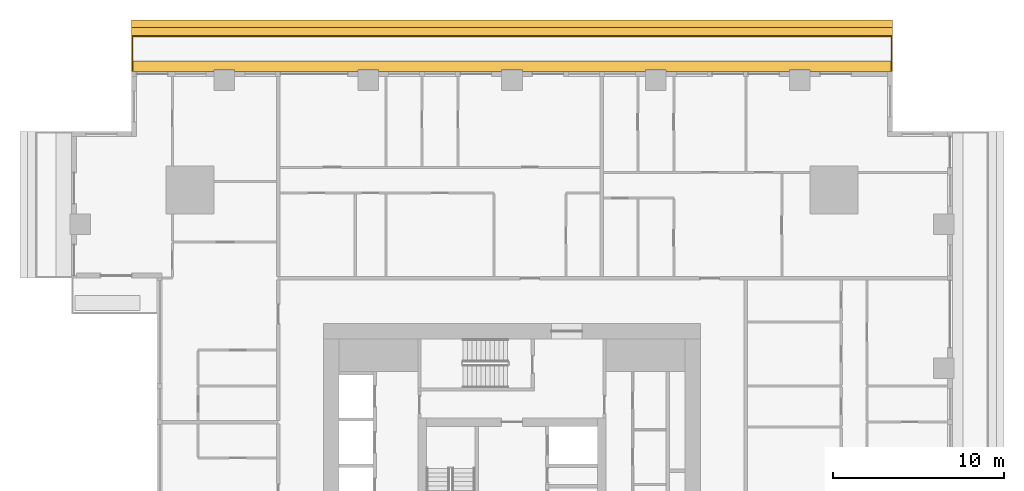
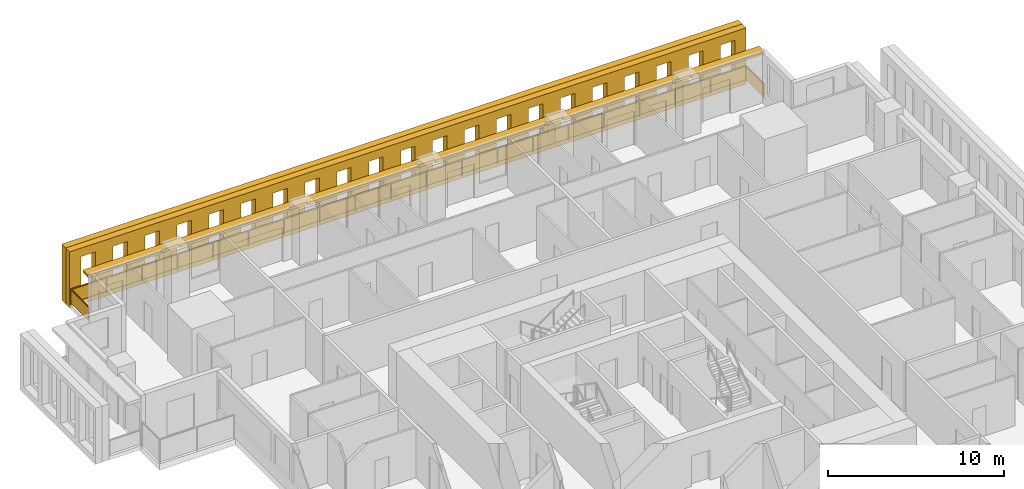
# One storey, part 15 of 15: 3 shading devices, 1 railing.
"""IFC4 building model written with IfcOpenShell, lengths in metres."""

from ifc_helpers import new_model, si_unit, direction, frame, origin, origin_2d, place, context, subcontext, project, spatial, polyline, rectangle, outline, extrude, material, layer, layer_set, type_object, element, save


model = new_model("IFC4")

# Units and contexts
model_context = context("Model", 3, precision=1e-05, world=origin(), true_north=direction((0.0, 1.0)))
body_context = subcontext(model_context, "Body", "Model", "MODEL_VIEW")
ifc_project = project(units=[si_unit("LENGTHUNIT", "METRE"), si_unit("AREAUNIT", "SQUARE_METRE"), si_unit("VOLUMEUNIT", "CUBIC_METRE"), si_unit("PLANEANGLEUNIT", "RADIAN"), si_unit("MASSUNIT", "GRAM", prefix="KILO")], contexts=[model_context])

# Site, building, storey
site_placement = place(None, origin())
site = spatial("IfcSite", under=ifc_project, at=site_placement, CompositionType="ELEMENT")
building_placement = place(site_placement, origin())
building = spatial("IfcBuilding", under=site, at=building_placement, Name="Khepri Terraces", CompositionType="ELEMENT")
storey_placement = place(building_placement, frame((0.0, 0.0, 118.199951171875)))
storey = spatial("IfcBuildingStorey", under=building, at=storey_placement, Name="L28", CompositionType="ELEMENT", Elevation=118.199951171875)

# Railing
ifc_material_1 = material(Name="Stainless steel grade 316", Category="steel")
railing_type = type_object("IfcRailingType", Name="GRD-BAL-1100", PredefinedType="GUARDRAIL", material=ifc_material_1)
railing_placement = place(storey_placement, frame((22.169921875, 25.719970703125, 0.0)))
element("IfcRailing", 1, at=railing_placement, inside=storey, type_object=railing_type, Name="Balcony guard L28 N", PredefinedType="GUARDRAIL", context=body_context, shape_type="SweptSolid", body=[
    extrude(rectangle(XDim=0.050048828125, YDim=0.06005859375, at=origin_2d()), frame((0.0, 0.0, 1.070068359375), z_axis=(0.0, 1.0, 0.0), x_axis=(-1.0, 0.0, 0.0)), (0.0, 0.0, 1.0), 2.050048828125),
    extrude(rectangle(XDim=2.0, YDim=0.011962890625, at=origin_2d()), frame((0.0, 1.02490234375, 0.10009765625), z_axis=(0.0, 0.0, 1.0), x_axis=(0.0, 1.0, 0.0)), (0.0, 0.0, 1.0), 0.93994140625),
    extrude(rectangle(XDim=0.050048828125, YDim=0.06005859375, at=origin_2d()), frame((0.0, 2.050048828125, 1.070068359375), z_axis=(-1.0, 0.0, 0.0), x_axis=(0.0, -1.0, 0.0)), (0.0, 0.0, 1.0), 44.33984375),
    extrude(rectangle(XDim=2.28369140625, YDim=0.011962890625, at=origin_2d()), frame((-1.166748046875, 2.050048828125, 0.10009765625), z_axis=(0.0, 0.0, 1.0), x_axis=(-1.0, 0.0, 0.0)), (0.0, 0.0, 1.0), 0.93994140625),
    extrude(rectangle(XDim=2.28369140625, YDim=0.011962890625, at=origin_2d()), frame((-3.50048828125, 2.050048828125, 0.10009765625), z_axis=(0.0, 0.0, 1.0), x_axis=(-1.0, 0.0, 0.0)), (0.0, 0.0, 1.0), 0.93994140625),
    extrude(rectangle(XDim=2.28369140625, YDim=0.011962890625, at=origin_2d()), frame((-5.834228515625, 2.050048828125, 0.10009765625), z_axis=(0.0, 0.0, 1.0), x_axis=(-1.0, 0.0, 0.0)), (0.0, 0.0, 1.0), 0.93994140625),
    extrude(rectangle(XDim=2.28369140625, YDim=0.011962890625, at=origin_2d()), frame((-8.16796875, 2.050048828125, 0.10009765625), z_axis=(0.0, 0.0, 1.0), x_axis=(-1.0, 0.0, 0.0)), (0.0, 0.0, 1.0), 0.93994140625),
    extrude(rectangle(XDim=2.28369140625, YDim=0.011962890625, at=origin_2d()), frame((-10.50146484375, 2.050048828125, 0.10009765625), z_axis=(0.0, 0.0, 1.0), x_axis=(-1.0, 0.0, 0.0)), (0.0, 0.0, 1.0), 0.93994140625),
    extrude(rectangle(XDim=2.28369140625, YDim=0.011962890625, at=origin_2d()), frame((-12.835205078125, 2.050048828125, 0.10009765625), z_axis=(0.0, 0.0, 1.0), x_axis=(-1.0, 0.0, 0.0)), (0.0, 0.0, 1.0), 0.93994140625),
    extrude(rectangle(XDim=2.28369140625, YDim=0.011962890625, at=origin_2d()), frame((-15.1689453125, 2.050048828125, 0.10009765625), z_axis=(0.0, 0.0, 1.0), x_axis=(-1.0, 0.0, 0.0)), (0.0, 0.0, 1.0), 0.93994140625),
    extrude(rectangle(XDim=2.28369140625, YDim=0.011962890625, at=origin_2d()), frame((-17.502685546875, 2.050048828125, 0.10009765625), z_axis=(0.0, 0.0, 1.0), x_axis=(-1.0, 0.0, 0.0)), (0.0, 0.0, 1.0), 0.93994140625),
    extrude(rectangle(XDim=2.28369140625, YDim=0.011962890625, at=origin_2d()), frame((-19.836181640625, 2.050048828125, 0.10009765625), z_axis=(0.0, 0.0, 1.0), x_axis=(-1.0, 0.0, 0.0)), (0.0, 0.0, 1.0), 0.93994140625),
    extrude(rectangle(XDim=2.28369140625, YDim=0.011962890625, at=origin_2d()), frame((-22.169921875, 2.050048828125, 0.10009765625), z_axis=(0.0, 0.0, 1.0), x_axis=(-1.0, 0.0, 0.0)), (0.0, 0.0, 1.0), 0.93994140625),
    extrude(rectangle(XDim=2.28369140625, YDim=0.011962890625, at=origin_2d()), frame((-24.503662109375, 2.050048828125, 0.10009765625), z_axis=(0.0, 0.0, 1.0), x_axis=(-1.0, 0.0, 0.0)), (0.0, 0.0, 1.0), 0.93994140625),
    extrude(rectangle(XDim=2.28369140625, YDim=0.011962890625, at=origin_2d()), frame((-26.837158203125, 2.050048828125, 0.10009765625), z_axis=(0.0, 0.0, 1.0), x_axis=(-1.0, 0.0, 0.0)), (0.0, 0.0, 1.0), 0.93994140625),
    extrude(rectangle(XDim=2.28369140625, YDim=0.011962890625, at=origin_2d()), frame((-29.1708984375, 2.050048828125, 0.10009765625), z_axis=(0.0, 0.0, 1.0), x_axis=(-1.0, 0.0, 0.0)), (0.0, 0.0, 1.0), 0.93994140625),
    extrude(rectangle(XDim=2.28369140625, YDim=0.011962890625, at=origin_2d()), frame((-31.504638671875, 2.050048828125, 0.10009765625), z_axis=(0.0, 0.0, 1.0), x_axis=(-1.0, 0.0, 0.0)), (0.0, 0.0, 1.0), 0.93994140625),
    extrude(rectangle(XDim=2.28369140625, YDim=0.011962890625, at=origin_2d()), frame((-33.83837890625, 2.050048828125, 0.10009765625), z_axis=(0.0, 0.0, 1.0), x_axis=(-1.0, 0.0, 0.0)), (0.0, 0.0, 1.0), 0.93994140625),
    extrude(rectangle(XDim=2.28369140625, YDim=0.011962890625, at=origin_2d()), frame((-36.171875, 2.050048828125, 0.10009765625), z_axis=(0.0, 0.0, 1.0), x_axis=(-1.0, 0.0, 0.0)), (0.0, 0.0, 1.0), 0.93994140625),
    extrude(rectangle(XDim=2.28369140625, YDim=0.011962890625, at=origin_2d()), frame((-38.505615234375, 2.050048828125, 0.10009765625), z_axis=(0.0, 0.0, 1.0), x_axis=(-1.0, 0.0, 0.0)), (0.0, 0.0, 1.0), 0.93994140625),
    extrude(rectangle(XDim=2.28369140625, YDim=0.011962890625, at=origin_2d()), frame((-40.83935546875, 2.050048828125, 0.10009765625), z_axis=(0.0, 0.0, 1.0), x_axis=(-1.0, 0.0, 0.0)), (0.0, 0.0, 1.0), 0.93994140625),
    extrude(rectangle(XDim=2.28369140625, YDim=0.011962890625, at=origin_2d()), frame((-43.173095703125, 2.050048828125, 0.10009765625), z_axis=(0.0, 0.0, 1.0), x_axis=(-1.0, 0.0, 0.0)), (0.0, 0.0, 1.0), 0.93994140625),
    extrude(rectangle(XDim=0.050048828125, YDim=0.06005859375, at=origin_2d()), frame((-44.33984375, 2.050048828125, 1.070068359375), z_axis=(0.0, -1.0, 0.0), x_axis=(1.0, 0.0, 0.0)), (0.0, 0.0, 1.0), 2.050048828125),
    extrude(rectangle(XDim=2.0, YDim=0.011962890625, at=origin_2d()), frame((-44.33984375, 1.02490234375, 0.10009765625), z_axis=(0.0, 0.0, 1.0), x_axis=(0.0, -1.0, 0.0)), (0.0, 0.0, 1.0), 0.93994140625),
    extrude(rectangle(XDim=0.050048828125, YDim=0.050048828125, at=origin_2d()), origin(), (0.0, 0.0, 1.0), 1.0400390625),
    extrude(rectangle(XDim=0.050048828125, YDim=0.050048828125, at=origin_2d()), frame((0.0, 2.050048828125, 0.0)), (0.0, 0.0, 1.0), 1.0400390625),
    extrude(rectangle(XDim=0.050048828125, YDim=0.050048828125, at=origin_2d()), frame((-2.333740234375, 2.050048828125, 0.0)), (0.0, 0.0, 1.0), 1.0400390625),
    extrude(rectangle(XDim=0.050048828125, YDim=0.050048828125, at=origin_2d()), frame((-4.667236328125, 2.050048828125, 0.0)), (0.0, 0.0, 1.0), 1.0400390625),
    extrude(rectangle(XDim=0.050048828125, YDim=0.050048828125, at=origin_2d()), frame((-7.0009765625, 2.050048828125, 0.0)), (0.0, 0.0, 1.0), 1.0400390625),
    extrude(rectangle(XDim=0.050048828125, YDim=0.050048828125, at=origin_2d()), frame((-9.334716796875, 2.050048828125, 0.0)), (0.0, 0.0, 1.0), 1.0400390625),
    extrude(rectangle(XDim=0.050048828125, YDim=0.050048828125, at=origin_2d()), frame((-11.66845703125, 2.050048828125, 0.0)), (0.0, 0.0, 1.0), 1.0400390625),
    extrude(rectangle(XDim=0.050048828125, YDim=0.050048828125, at=origin_2d()), frame((-14.001953125, 2.050048828125, 0.0)), (0.0, 0.0, 1.0), 1.0400390625),
    extrude(rectangle(XDim=0.050048828125, YDim=0.050048828125, at=origin_2d()), frame((-16.335693359375, 2.050048828125, 0.0)), (0.0, 0.0, 1.0), 1.0400390625),
    extrude(rectangle(XDim=0.050048828125, YDim=0.050048828125, at=origin_2d()), frame((-18.66943359375, 2.050048828125, 0.0)), (0.0, 0.0, 1.0), 1.0400390625),
    extrude(rectangle(XDim=0.050048828125, YDim=0.050048828125, at=origin_2d()), frame((-21.003173828125, 2.050048828125, 0.0)), (0.0, 0.0, 1.0), 1.0400390625),
    extrude(rectangle(XDim=0.050048828125, YDim=0.050048828125, at=origin_2d()), frame((-23.336669921875, 2.050048828125, 0.0)), (0.0, 0.0, 1.0), 1.0400390625),
    extrude(rectangle(XDim=0.050048828125, YDim=0.050048828125, at=origin_2d()), frame((-25.67041015625, 2.050048828125, 0.0)), (0.0, 0.0, 1.0), 1.0400390625),
    extrude(rectangle(XDim=0.050048828125, YDim=0.050048828125, at=origin_2d()), frame((-28.004150390625, 2.050048828125, 0.0)), (0.0, 0.0, 1.0), 1.0400390625),
    extrude(rectangle(XDim=0.050048828125, YDim=0.050048828125, at=origin_2d()), frame((-30.337890625, 2.050048828125, 0.0)), (0.0, 0.0, 1.0), 1.0400390625),
    extrude(rectangle(XDim=0.050048828125, YDim=0.050048828125, at=origin_2d()), frame((-32.67138671875, 2.050048828125, 0.0)), (0.0, 0.0, 1.0), 1.0400390625),
    extrude(rectangle(XDim=0.050048828125, YDim=0.050048828125, at=origin_2d()), frame((-35.005126953125, 2.050048828125, 0.0)), (0.0, 0.0, 1.0), 1.0400390625),
    extrude(rectangle(XDim=0.050048828125, YDim=0.050048828125, at=origin_2d()), frame((-37.3388671875, 2.050048828125, 0.0)), (0.0, 0.0, 1.0), 1.0400390625),
    extrude(rectangle(XDim=0.050048828125, YDim=0.050048828125, at=origin_2d()), frame((-39.672607421875, 2.050048828125, 0.0)), (0.0, 0.0, 1.0), 1.0400390625),
    extrude(rectangle(XDim=0.050048828125, YDim=0.050048828125, at=origin_2d()), frame((-42.006103515625, 2.050048828125, 0.0)), (0.0, 0.0, 1.0), 1.0400390625),
    extrude(rectangle(XDim=0.050048828125, YDim=0.050048828125, at=origin_2d()), frame((-44.33984375, 2.050048828125, 0.0)), (0.0, 0.0, 1.0), 1.0400390625),
    extrude(rectangle(XDim=0.050048828125, YDim=0.050048828125, at=origin_2d()), frame((-44.33984375, 0.0, 0.0)), (0.0, 0.0, 1.0), 1.0400390625),
])

# Shading devices
ifc_material_2 = material(Name="Precast concrete C50/60 warm stone", Category="masonry")
shading_device_type_1 = type_object("IfcShadingDeviceType", Name="SCR-CELL-INNER-450", PredefinedType="USERDEFINED", material=ifc_material_2)
shading_device_1_placement = place(storey_placement, frame((22.219970703125, 27.820068359375, -0.25), z_axis=(0.0, 1.0, 0.0), x_axis=(-1.0, 0.0, 0.0)))
element("IfcShadingDevice", 2, at=shading_device_1_placement, inside=storey, type_object=shading_device_type_1, Name="Cell screen L28 N in", ObjectType="SCREEN", PredefinedType="USERDEFINED", context=body_context, shape_type="SweptSolid", body=[
    extrude(outline(polyline([(0.0, 0.0), (44.43994140625, 0.0), (44.43994140625, 3.89990234375), (0.0, 3.89990234375), (0.0, 0.0)]), holes=[polyline([(0.74755859375, 0.699951171875), (1.6923828125, 0.699951171875), (1.6923828125, 3.300048828125), (0.74755859375, 3.300048828125), (0.74755859375, 0.699951171875)]), polyline([(2.847412109375, 0.699951171875), (3.79248046875, 0.699951171875), (3.79248046875, 3.300048828125), (2.847412109375, 3.300048828125), (2.847412109375, 0.699951171875)]), polyline([(4.947509765625, 0.699951171875), (5.892578125, 0.699951171875), (5.892578125, 3.300048828125), (4.947509765625, 3.300048828125), (4.947509765625, 0.699951171875)]), polyline([(7.047607421875, 0.699951171875), (7.992431640625, 0.699951171875), (7.992431640625, 3.300048828125), (7.047607421875, 3.300048828125), (7.047607421875, 0.699951171875)]), polyline([(9.1474609375, 0.699951171875), (10.092529296875, 0.699951171875), (10.092529296875, 3.300048828125), (9.1474609375, 3.300048828125), (9.1474609375, 0.699951171875)]), polyline([(11.24755859375, 0.699951171875), (12.1923828125, 0.699951171875), (12.1923828125, 3.300048828125), (11.24755859375, 3.300048828125), (11.24755859375, 0.699951171875)]), polyline([(13.347412109375, 0.699951171875), (14.29248046875, 0.699951171875), (14.29248046875, 3.300048828125), (13.347412109375, 3.300048828125), (13.347412109375, 0.699951171875)]), polyline([(15.447509765625, 0.699951171875), (16.392578125, 0.699951171875), (16.392578125, 3.300048828125), (15.447509765625, 3.300048828125), (15.447509765625, 0.699951171875)]), polyline([(17.547607421875, 0.699951171875), (18.492431640625, 0.699951171875), (18.492431640625, 3.300048828125), (17.547607421875, 3.300048828125), (17.547607421875, 0.699951171875)]), polyline([(19.6474609375, 0.699951171875), (20.592529296875, 0.699951171875), (20.592529296875, 3.300048828125), (19.6474609375, 3.300048828125), (19.6474609375, 0.699951171875)]), polyline([(21.74755859375, 0.699951171875), (22.6923828125, 0.699951171875), (22.6923828125, 3.300048828125), (21.74755859375, 3.300048828125), (21.74755859375, 0.699951171875)]), polyline([(23.847412109375, 0.699951171875), (24.79248046875, 0.699951171875), (24.79248046875, 3.300048828125), (23.847412109375, 3.300048828125), (23.847412109375, 0.699951171875)]), polyline([(25.947509765625, 0.699951171875), (26.892578125, 0.699951171875), (26.892578125, 3.300048828125), (25.947509765625, 3.300048828125), (25.947509765625, 0.699951171875)]), polyline([(28.047607421875, 0.699951171875), (28.992431640625, 0.699951171875), (28.992431640625, 3.300048828125), (28.047607421875, 3.300048828125), (28.047607421875, 0.699951171875)]), polyline([(30.1474609375, 0.699951171875), (31.092529296875, 0.699951171875), (31.092529296875, 3.300048828125), (30.1474609375, 3.300048828125), (30.1474609375, 0.699951171875)]), polyline([(32.24755859375, 0.699951171875), (33.1923828125, 0.699951171875), (33.1923828125, 3.300048828125), (32.24755859375, 3.300048828125), (32.24755859375, 0.699951171875)]), polyline([(34.347412109375, 0.699951171875), (35.29248046875, 0.699951171875), (35.29248046875, 3.300048828125), (34.347412109375, 3.300048828125), (34.347412109375, 0.699951171875)]), polyline([(36.447509765625, 0.699951171875), (37.392578125, 0.699951171875), (37.392578125, 3.300048828125), (36.447509765625, 3.300048828125), (36.447509765625, 0.699951171875)]), polyline([(38.547607421875, 0.699951171875), (39.492431640625, 0.699951171875), (39.492431640625, 3.300048828125), (38.547607421875, 3.300048828125), (38.547607421875, 0.699951171875)]), polyline([(40.6474609375, 0.699951171875), (41.592529296875, 0.699951171875), (41.592529296875, 3.300048828125), (40.6474609375, 3.300048828125), (40.6474609375, 0.699951171875)]), polyline([(42.74755859375, 0.699951171875), (43.6923828125, 0.699951171875), (43.6923828125, 3.300048828125), (42.74755859375, 3.300048828125), (42.74755859375, 0.699951171875)])]), origin(), (0.0, 0.0, 1.0), 0.449951171875),
])
shading_device_type_2 = type_object("IfcShadingDeviceType", Name="SCR-CELL-OUTER-450", PredefinedType="USERDEFINED", material=ifc_material_2)
shading_device_2_placement = place(storey_placement, frame((22.219970703125, 28.27001953125, -0.25), z_axis=(0.0, 1.0, 0.0), x_axis=(-1.0, 0.0, 0.0)))
element("IfcShadingDevice", 3, at=shading_device_2_placement, inside=storey, type_object=shading_device_type_2, Name="Cell screen L28 N out", ObjectType="SCREEN", PredefinedType="USERDEFINED", context=body_context, shape_type="SweptSolid", body=[
    extrude(outline(polyline([(0.0, 0.0), (44.43994140625, 0.0), (44.43994140625, 3.89990234375), (0.0, 3.89990234375), (0.0, 0.0)]), holes=[polyline([(0.3974609375, 0.449951171875), (2.04248046875, 0.449951171875), (2.04248046875, 3.550048828125), (0.3974609375, 3.550048828125), (0.3974609375, 0.449951171875)]), polyline([(2.49755859375, 0.449951171875), (4.142578125, 0.449951171875), (4.142578125, 3.550048828125), (2.49755859375, 3.550048828125), (2.49755859375, 0.449951171875)]), polyline([(4.597412109375, 0.449951171875), (6.242431640625, 0.449951171875), (6.242431640625, 3.550048828125), (4.597412109375, 3.550048828125), (4.597412109375, 0.449951171875)]), polyline([(6.697509765625, 0.449951171875), (8.342529296875, 0.449951171875), (8.342529296875, 3.550048828125), (6.697509765625, 3.550048828125), (6.697509765625, 0.449951171875)]), polyline([(8.797607421875, 0.449951171875), (10.4423828125, 0.449951171875), (10.4423828125, 3.550048828125), (8.797607421875, 3.550048828125), (8.797607421875, 0.449951171875)]), polyline([(10.8974609375, 0.449951171875), (12.54248046875, 0.449951171875), (12.54248046875, 3.550048828125), (10.8974609375, 3.550048828125), (10.8974609375, 0.449951171875)]), polyline([(12.99755859375, 0.449951171875), (14.642578125, 0.449951171875), (14.642578125, 3.550048828125), (12.99755859375, 3.550048828125), (12.99755859375, 0.449951171875)]), polyline([(15.097412109375, 0.449951171875), (16.742431640625, 0.449951171875), (16.742431640625, 3.550048828125), (15.097412109375, 3.550048828125), (15.097412109375, 0.449951171875)]), polyline([(17.197509765625, 0.449951171875), (18.842529296875, 0.449951171875), (18.842529296875, 3.550048828125), (17.197509765625, 3.550048828125), (17.197509765625, 0.449951171875)]), polyline([(19.297607421875, 0.449951171875), (20.9423828125, 0.449951171875), (20.9423828125, 3.550048828125), (19.297607421875, 3.550048828125), (19.297607421875, 0.449951171875)]), polyline([(21.3974609375, 0.449951171875), (23.04248046875, 0.449951171875), (23.04248046875, 3.550048828125), (21.3974609375, 3.550048828125), (21.3974609375, 0.449951171875)]), polyline([(23.49755859375, 0.449951171875), (25.142578125, 0.449951171875), (25.142578125, 3.550048828125), (23.49755859375, 3.550048828125), (23.49755859375, 0.449951171875)]), polyline([(25.597412109375, 0.449951171875), (27.242431640625, 0.449951171875), (27.242431640625, 3.550048828125), (25.597412109375, 3.550048828125), (25.597412109375, 0.449951171875)]), polyline([(27.697509765625, 0.449951171875), (29.342529296875, 0.449951171875), (29.342529296875, 3.550048828125), (27.697509765625, 3.550048828125), (27.697509765625, 0.449951171875)]), polyline([(29.797607421875, 0.449951171875), (31.4423828125, 0.449951171875), (31.4423828125, 3.550048828125), (29.797607421875, 3.550048828125), (29.797607421875, 0.449951171875)]), polyline([(31.8974609375, 0.449951171875), (33.54248046875, 0.449951171875), (33.54248046875, 3.550048828125), (31.8974609375, 3.550048828125), (31.8974609375, 0.449951171875)]), polyline([(33.99755859375, 0.449951171875), (35.642578125, 0.449951171875), (35.642578125, 3.550048828125), (33.99755859375, 3.550048828125), (33.99755859375, 0.449951171875)]), polyline([(36.097412109375, 0.449951171875), (37.742431640625, 0.449951171875), (37.742431640625, 3.550048828125), (36.097412109375, 3.550048828125), (36.097412109375, 0.449951171875)]), polyline([(38.197509765625, 0.449951171875), (39.842529296875, 0.449951171875), (39.842529296875, 3.550048828125), (38.197509765625, 3.550048828125), (38.197509765625, 0.449951171875)]), polyline([(40.297607421875, 0.449951171875), (41.9423828125, 0.449951171875), (41.9423828125, 3.550048828125), (40.297607421875, 3.550048828125), (40.297607421875, 0.449951171875)]), polyline([(42.3974609375, 0.449951171875), (44.04248046875, 0.449951171875), (44.04248046875, 3.550048828125), (42.3974609375, 3.550048828125), (42.3974609375, 0.449951171875)])]), origin(), (0.0, 0.0, 1.0), 0.449951171875),
])
ifc_layer = layer(ifc_material_2, 0.199951171875, Name="Precast concrete C50/60 warm stone", Category="masonry")
ifc_layer_set = layer_set([ifc_layer], Name="Precast concrete C50/60 warm stone")
shading_device_type_3 = type_object("IfcShadingDeviceType", Name="SSH-BAND-STONE-200-N", PredefinedType="USERDEFINED", material=ifc_layer_set)
shading_device_3_placement = place(storey_placement, frame((0.0, 0.0, 3.10009765625)))
element("IfcShadingDevice", 4, at=shading_device_3_placement, inside=storey, type_object=shading_device_type_3, Name="Sunshade band L28 N", ObjectType="SUNSHADE", PredefinedType="USERDEFINED", context=body_context, shape_type="SweptSolid", body=[
    extrude(outline(polyline([(17.39990234375, 25.719970703125), (22.219970703125, 25.719970703125), (22.219970703125, 26.320068359375), (-22.219970703125, 26.320068359375), (-22.219970703125, 25.719970703125), (-17.39990234375, 25.719970703125), (-17.39990234375, 25.800048828125), (-16.199951171875, 25.800048828125), (-16.199951171875, 25.719970703125), (-9.0, 25.719970703125), (-9.0, 25.800048828125), (-7.800048828125, 25.800048828125), (-7.800048828125, 25.719970703125), (-0.60009765625, 25.719970703125), (-0.60009765625, 25.800048828125), (0.60009765625, 25.800048828125), (0.60009765625, 25.719970703125), (7.800048828125, 25.719970703125), (7.800048828125, 25.800048828125), (9.0, 25.800048828125), (9.0, 25.719970703125), (16.199951171875, 25.719970703125), (16.199951171875, 25.800048828125), (17.39990234375, 25.800048828125), (17.39990234375, 25.719970703125)])), origin(), (0.0, 0.0, 1.0), 0.199951171875),
])

save(model, "model.ifc")
